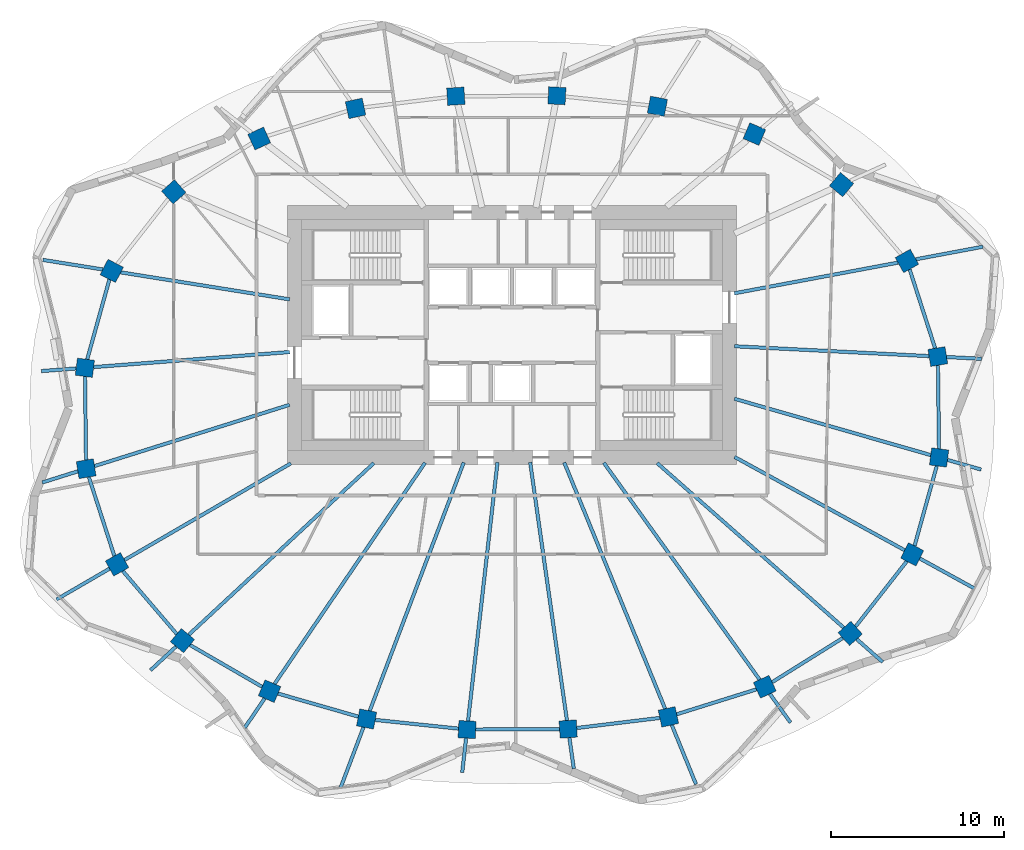
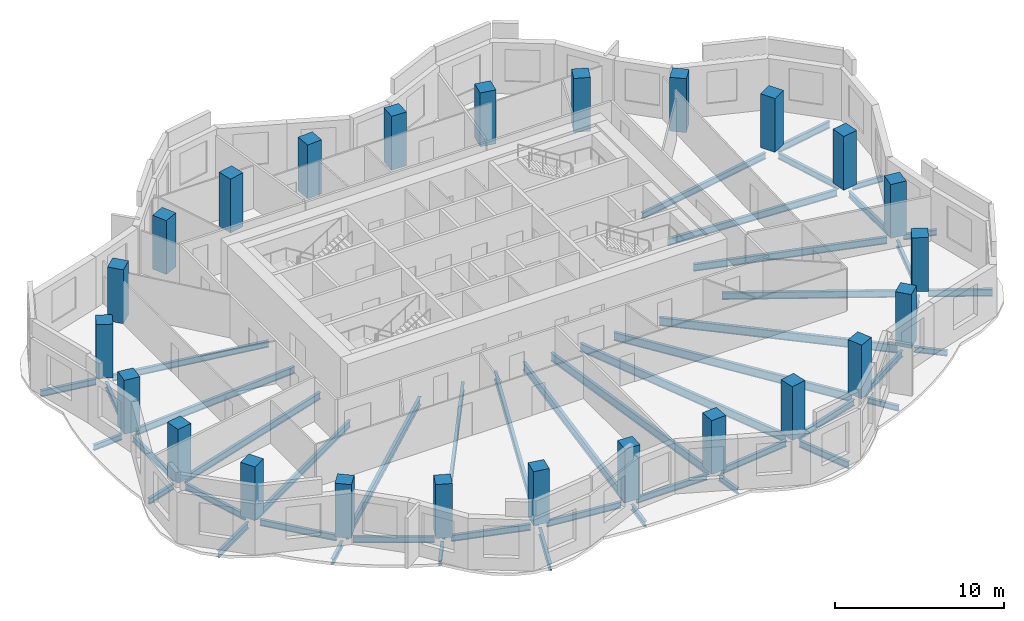
# One storey, part 1 of 9: 47 beams, 24 columns.
"""IFC4 building model written with IfcOpenShell, lengths in metres."""

from ifc_helpers import new_model, si_unit, direction, frame, origin, origin_2d, place, context, subcontext, project, spatial, rectangle, i_section, extrude, material, material_profile, profile_set, type_object, element, save


model = new_model("IFC4")

# Units and contexts
model_context = context("Model", 3, precision=1e-05, world=origin(), true_north=direction((0.0, 1.0)))
body_context = subcontext(model_context, "Body", "Model", "MODEL_VIEW")
ifc_project = project(units=[si_unit("LENGTHUNIT", "METRE"), si_unit("AREAUNIT", "SQUARE_METRE"), si_unit("VOLUMEUNIT", "CUBIC_METRE"), si_unit("PLANEANGLEUNIT", "RADIAN"), si_unit("MASSUNIT", "GRAM", prefix="KILO")], contexts=[model_context])

# Site, building, storey
site_placement = place(None, origin())
site = spatial("IfcSite", under=ifc_project, at=site_placement, CompositionType="ELEMENT")
building_placement = place(site_placement, origin())
building = spatial("IfcBuilding", under=site, at=building_placement, Name="Rubra Terraces Tower", CompositionType="ELEMENT")
storey_placement = place(building_placement, frame((0.0, 0.0, 221.39990234375)))
storey = spatial("IfcBuildingStorey", under=building, at=storey_placement, Name="L54", CompositionType="ELEMENT", Elevation=221.39990234375)

# Columns
ifc_material_1 = material(Name="Concrete C50", Category="concrete")
ifc_material_profile_1 = material_profile(ifc_material_1, rectangle(XDim=1.0, YDim=1.0, at=origin_2d()), Name="RC 1000x1000")
ifc_profile_set_1 = profile_set([ifc_material_profile_1], Name="Concrete C50")
column_type = type_object("IfcColumnType", Name="RING COLUMN RC 1000x1000 C50", PredefinedType="COLUMN", material=ifc_profile_set_1)
for number, where, z_axis, x_axis, name in (
    (1, (24.6689453125, 3.248046875, 0.0), (0.0, 0.0, 1.0), (-0.161559167715, 0.986863027642, 0.0), "column-L54-ring-01"),
    (2, (22.87890625, 8.787109375, 0.0), (0.0, 0.0, 1.0), (-0.48852601316, 0.872549330678, 0.0), "column-L54-ring-02"),
    (3, (19.092041015625, 13.208984375, 0.0), (0.0, 0.0, 1.0), (-0.76886986222, 0.63940529789, 0.0), "column-L54-ring-03"),
    (4, (14.0419921875, 16.135986328125, 0.0), (0.0, 0.0, 1.0), (-0.920167856842, 0.391524092789, 0.0), "column-L54-ring-04"),
    (5, (8.422119140625, 17.7490234375, 0.0), (0.0, 0.0, 1.0), (-0.981654668733, 0.19066754143, 0.0), "column-L54-ring-05"),
    (6, (2.60205078125, 18.35791015625, 0.0), (0.0, 0.0, 1.0), (-0.998764256028, 0.049698700995, 0.0), "column-L54-ring-06"),
    (7, (-3.25390625, 18.330078125, 0.0), (0.0, 0.0, 1.0), (-0.998031548759, -0.062713855578, 0.0), "column-L54-ring-07"),
    (8, (-9.06298828125, 17.625, 0.0), (0.0, 0.0, 1.0), (-0.977652674797, -0.210226657352, 0.0), "column-L54-ring-08"),
    (9, (-14.64306640625, 15.881103515625, 0.0), (0.0, 0.0, 1.0), (-0.908778580451, -0.417278673927, 0.0), "column-L54-ring-09"),
    (10, (-19.593017578125, 12.7900390625, 0.0), (0.0, 0.0, 1.0), (-0.744021317198, -0.668155879683, 0.0), "column-L54-ring-10"),
    (11, (-23.18505859375, 8.2099609375, 0.0), (0.0, 0.0, 1.0), (-0.451027931402, -0.892509834733, 0.0), "column-L54-ring-11"),
    (12, (-24.742919921875, 2.59912109375, 0.0), (0.0, 0.0, 1.0), (-0.128443684554, -0.991716804283, 0.0), "column-L54-ring-12"),
    (13, (-24.6689453125, -3.248046875, 0.0), (0.0, 0.0, 1.0), (0.161559167715, -0.986863027642, 0.0), "column-L54-ring-13"),
    (14, (-22.87890625, -8.787109375, 0.0), (0.0, 0.0, 1.0), (0.48852601316, -0.872549330678, 0.0), "column-L54-ring-14"),
    (15, (-19.092041015625, -13.208984375, 0.0), (0.0, 0.0, 1.0), (0.76886986222, -0.63940529789, 0.0), "column-L54-ring-15"),
    (16, (-14.0419921875, -16.135986328125, 0.0), (0.0, 0.0, 1.0), (0.920167856842, -0.391524092789, 0.0), "column-L54-ring-16"),
    (17, (-8.422119140625, -17.7490234375, 0.0), (0.0, 0.0, 1.0), (0.981654668733, -0.19066754143, 0.0), "column-L54-ring-17"),
    (18, (-2.60205078125, -18.35791015625, 0.0), (0.0, 0.0, 1.0), (0.998764256028, -0.049698700995, 0.0), "column-L54-ring-18"),
    (19, (3.25390625, -18.330078125, 0.0), (0.0, 0.0, 1.0), (0.998031548759, 0.062713855578, 0.0), "column-L54-ring-19"),
    (20, (9.06298828125, -17.625, 0.0), (0.0, 0.0, 1.0), (0.977652674797, 0.210226657352, 0.0), "column-L54-ring-20"),
    (21, (14.64306640625, -15.881103515625, 0.0), (0.0, 0.0, 1.0), (0.908778580451, 0.417278673927, 0.0), "column-L54-ring-21"),
    (22, (19.593017578125, -12.7900390625, 0.0), (0.0, 0.0, 1.0), (0.744021317198, 0.668155879683, 0.0), "column-L54-ring-22"),
    (23, (23.18505859375, -8.2099609375, 0.0), (0.0, 0.0, 1.0), (0.451027931402, 0.892509834733, 0.0), "column-L54-ring-23"),
    (24, (24.742919921875, -2.59912109375, 0.0), (0.0, 0.0, 1.0), (0.128443684554, 0.991716804283, 0.0), "column-L54-ring-24"),
):
    element("IfcColumn", number, at=place(storey_placement, frame(where, z_axis=z_axis, x_axis=x_axis)), inside=storey, type_object=column_type, Name=name, PredefinedType="COLUMN", context=body_context, shape_type="SweptSolid", body=[
        extrude(rectangle(XDim=1.0, YDim=1.0, at=origin_2d()), origin(), (0.0, 0.0, 1.0), 3.900146484375),
    ])

# Beams
ifc_material_2 = material(Name="Steel Q355B", Category="steel")
ifc_material_profile_2 = material_profile(ifc_material_2, i_section(OverallWidth=0.199951171875, OverallDepth=0.39990234375, WebThickness=0.008056640625, FlangeThickness=0.012939453125, at=origin_2d()), Name="HN 400x200x8x13")
ifc_profile_set_2 = profile_set([ifc_material_profile_2], Name="Steel Q355B")
beam_type_1 = type_object("IfcBeamType", Name="CANTILEVER BEAM HN 400x200x8x13", PredefinedType="BEAM", material=ifc_profile_set_2)
beam_1_placement = place(storey_placement, frame((25.179931640625, 3.221923828125, -0.39990234375), z_axis=(0.99870842359, -0.05080831281, 0.0), x_axis=(0.05080831281, 0.99870842359, 0.0)))
element("IfcBeam", 25, at=beam_1_placement, inside=storey, type_object=beam_type_1, Name="beam-L54-cant-01", PredefinedType="BEAM", context=body_context, shape_type="SweptSolid", body=[
    extrude(i_section(OverallWidth=0.199951171875, OverallDepth=0.39990234375, WebThickness=0.008056640625, FlangeThickness=0.012939453125, at=origin_2d()), origin(), (0.0, 0.0, 1.0), 2.02783203125),
])
beam_2_placement = place(storey_placement, frame((-25.251953125, 2.56005859375, -0.39990234375), z_axis=(-0.997050929882, -0.076742707936, 0.0), x_axis=(0.076742707936, -0.997050929882, 0.0)))
element("IfcBeam", 26, at=beam_2_placement, inside=storey, type_object=beam_type_1, Name="beam-L54-cant-12", PredefinedType="BEAM", context=body_context, shape_type="SweptSolid", body=[
    extrude(i_section(OverallWidth=0.199951171875, OverallDepth=0.39990234375, WebThickness=0.008056640625, FlangeThickness=0.012939453125, at=origin_2d()), origin(), (0.0, 0.0, 1.0), 2.02001953125),
])
beam_3_placement = place(storey_placement, frame((-25.15087890625, -3.39892578125, -0.39990234375), z_axis=(-0.953976176962, -0.299882399933, 0.0), x_axis=(0.299882399933, -0.953976176962, 0.0)))
element("IfcBeam", 27, at=beam_3_placement, inside=storey, type_object=beam_type_1, Name="beam-L54-cant-13", PredefinedType="BEAM", context=body_context, shape_type="SweptSolid", body=[
    extrude(i_section(OverallWidth=0.199951171875, OverallDepth=0.39990234375, WebThickness=0.008056640625, FlangeThickness=0.012939453125, at=origin_2d()), origin(), (0.0, 0.0, 1.0), 2.161376953125),
])
beam_4_placement = place(storey_placement, frame((-19.4619140625, -13.552001953125, -0.39990234375), z_axis=(-0.733112361767, -0.680107539309, 0.0), x_axis=(0.680107539309, -0.733112361767, 0.0)))
element("IfcBeam", 28, at=beam_4_placement, inside=storey, type_object=beam_type_1, Name="beam-L54-cant-15", PredefinedType="BEAM", context=body_context, shape_type="SweptSolid", body=[
    extrude(i_section(OverallWidth=0.199951171875, OverallDepth=0.39990234375, WebThickness=0.008056640625, FlangeThickness=0.012939453125, at=origin_2d()), origin(), (0.0, 0.0, 1.0), 2.017333984375),
])
beam_5_placement = place(storey_placement, frame((-14.3291015625, -16.556884765625, -0.39990234375), z_axis=(-0.56217604695, -0.827017588831, 0.0), x_axis=(0.827017588831, -0.56217604695, 0.0)))
element("IfcBeam", 29, at=beam_5_placement, inside=storey, type_object=beam_type_1, Name="beam-L54-cant-16", PredefinedType="BEAM", context=body_context, shape_type="SweptSolid", body=[
    extrude(i_section(OverallWidth=0.199951171875, OverallDepth=0.39990234375, WebThickness=0.008056640625, FlangeThickness=0.012939453125, at=origin_2d()), origin(), (0.0, 0.0, 1.0), 2.043701171875),
])
beam_6_placement = place(storey_placement, frame((-2.658935546875, -18.85595703125, -0.39990234375), z_axis=(-0.112770329826, -0.993621081052, 0.0), x_axis=(0.993621081052, -0.112770329826, 0.0)))
element("IfcBeam", 30, at=beam_6_placement, inside=storey, type_object=beam_type_1, Name="beam-L54-cant-18", PredefinedType="BEAM", context=body_context, shape_type="SweptSolid", body=[
    extrude(i_section(OverallWidth=0.199951171875, OverallDepth=0.39990234375, WebThickness=0.008056640625, FlangeThickness=0.012939453125, at=origin_2d()), origin(), (0.0, 0.0, 1.0), 2.004638671875),
])
beam_7_placement = place(storey_placement, frame((3.324951171875, -18.826904296875, -0.39990234375), z_axis=(0.141308200987, -0.989965652098, 0.0), x_axis=(0.989965652098, 0.141308200987, 0.0)))
element("IfcBeam", 31, at=beam_7_placement, inside=storey, type_object=beam_type_1, Name="beam-L54-cant-19", PredefinedType="BEAM", context=body_context, shape_type="SweptSolid", body=[
    extrude(i_section(OverallWidth=0.199951171875, OverallDepth=0.39990234375, WebThickness=0.008056640625, FlangeThickness=0.012939453125, at=origin_2d()), origin(), (0.0, 0.0, 1.0), 1.812255859375),
])
beam_8_placement = place(storey_placement, frame((14.93994140625, -16.294921875, -0.39990234375), z_axis=(0.583685227199, -0.811980021644, 0.0), x_axis=(0.811980021644, 0.583685227199, 0.0)))
element("IfcBeam", 32, at=beam_8_placement, inside=storey, type_object=beam_type_1, Name="beam-L54-cant-21", PredefinedType="BEAM", context=body_context, shape_type="SweptSolid", body=[
    extrude(i_section(OverallWidth=0.199951171875, OverallDepth=0.39990234375, WebThickness=0.008056640625, FlangeThickness=0.012939453125, at=origin_2d()), origin(), (0.0, 0.0, 1.0), 2.0458984375),
])
beam_9_placement = place(storey_placement, frame((19.969970703125, -13.123046875, -0.39990234375), z_axis=(0.749880449764, -0.661573360303, 0.0), x_axis=(0.661573360303, 0.749880449764, 0.0)))
element("IfcBeam", 33, at=beam_9_placement, inside=storey, type_object=beam_type_1, Name="beam-L54-cant-22", PredefinedType="BEAM", context=body_context, shape_type="SweptSolid", body=[
    extrude(i_section(OverallWidth=0.199951171875, OverallDepth=0.39990234375, WebThickness=0.008056640625, FlangeThickness=0.012939453125, at=origin_2d()), origin(), (0.0, 0.0, 1.0), 2.007080078125),
])
beam_10_placement = place(storey_placement, frame((25.22900390625, -2.738037109375, -0.39990234375), z_axis=(0.961104863352, -0.27618370995, 0.0), x_axis=(0.27618370995, 0.961104863352, 0.0)))
element("IfcBeam", 34, at=beam_10_placement, inside=storey, type_object=beam_type_1, Name="beam-L54-cant-24", PredefinedType="BEAM", context=body_context, shape_type="SweptSolid", body=[
    extrude(i_section(OverallWidth=0.199951171875, OverallDepth=0.39990234375, WebThickness=0.008056640625, FlangeThickness=0.012939453125, at=origin_2d()), origin(), (0.0, 0.0, 1.0), 2.02783203125),
])
ifc_material_profile_3 = material_profile(ifc_material_2, i_section(OverallWidth=0.198974609375, OverallDepth=0.446044921875, WebThickness=0.008056640625, FlangeThickness=0.011962890625, at=origin_2d()), Name="HN 446x199x8x12")
ifc_profile_set_3 = profile_set([ifc_material_profile_3], Name="Steel Q355B")
beam_type_2 = type_object("IfcBeamType", Name="CANTILEVER BEAM HN 446x199x8x12", PredefinedType="BEAM", material=ifc_profile_set_3)
beam_11_placement = place(storey_placement, frame((-23.702880859375, 8.29296875, -0.4228515625), z_axis=(-0.987460993252, 0.157863190158, 0.0), x_axis=(-0.157863190158, -0.987460993252, 0.0)))
element("IfcBeam", 35, at=beam_11_placement, inside=storey, type_object=beam_type_2, Name="beam-L54-cant-11", PredefinedType="BEAM", context=body_context, shape_type="SweptSolid", body=[
    extrude(i_section(OverallWidth=0.198974609375, OverallDepth=0.446044921875, WebThickness=0.008056640625, FlangeThickness=0.011962890625, at=origin_2d()), origin(), (0.0, 0.0, 1.0), 3.515380859375),
])
beam_12_placement = place(storey_placement, frame((-23.31103515625, -9.0380859375, -0.4228515625), z_axis=(-0.864736046466, -0.50222661214, 0.0), x_axis=(0.50222661214, -0.864736046466, 0.0)))
element("IfcBeam", 36, at=beam_12_placement, inside=storey, type_object=beam_type_2, Name="beam-L54-cant-14", PredefinedType="BEAM", context=body_context, shape_type="SweptSolid", body=[
    extrude(i_section(OverallWidth=0.198974609375, OverallDepth=0.446044921875, WebThickness=0.008056640625, FlangeThickness=0.011962890625, at=origin_2d()), origin(), (0.0, 0.0, 1.0), 3.555908203125),
])
ifc_material_profile_4 = material_profile(ifc_material_2, i_section(OverallWidth=0.198974609375, OverallDepth=0.49609375, WebThickness=0.009033203125, FlangeThickness=0.013916015625, at=origin_2d()), Name="HN 496x199x9x14")
ifc_profile_set_4 = profile_set([ifc_material_profile_4], Name="Steel Q355B")
beam_type_3 = type_object("IfcBeamType", Name="CANTILEVER BEAM HN 496x199x9x14", PredefinedType="BEAM", material=ifc_profile_set_4)
beam_13_placement = place(storey_placement, frame((23.39794921875, 8.884033203125, -0.447998046875), z_axis=(0.982865888577, 0.18432212312, 0.0), x_axis=(-0.18432212312, 0.982865888577, 0.0)))
element("IfcBeam", 37, at=beam_13_placement, inside=storey, type_object=beam_type_3, Name="beam-L54-cant-02", PredefinedType="BEAM", context=body_context, shape_type="SweptSolid", body=[
    extrude(i_section(OverallWidth=0.198974609375, OverallDepth=0.49609375, WebThickness=0.009033203125, FlangeThickness=0.013916015625, at=origin_2d()), origin(), (0.0, 0.0, 1.0), 3.94970703125),
])
beam_14_placement = place(storey_placement, frame((-8.60205078125, -18.222900390625, -0.447998046875), z_axis=(-0.353975284334, -0.935254777096, 0.0), x_axis=(0.935254777096, -0.353975284334, 0.0)))
element("IfcBeam", 38, at=beam_14_placement, inside=storey, type_object=beam_type_3, Name="beam-L54-cant-17", PredefinedType="BEAM", context=body_context, shape_type="SweptSolid", body=[
    extrude(i_section(OverallWidth=0.198974609375, OverallDepth=0.49609375, WebThickness=0.009033203125, FlangeThickness=0.013916015625, at=origin_2d()), origin(), (0.0, 0.0, 1.0), 3.816162109375),
])
beam_15_placement = place(storey_placement, frame((9.256103515625, -18.094970703125, -0.447998046875), z_axis=(0.378876573118, -0.925447212078, 0.0), x_axis=(0.925447212078, 0.378876573118, 0.0)))
element("IfcBeam", 39, at=beam_15_placement, inside=storey, type_object=beam_type_3, Name="beam-L54-cant-20", PredefinedType="BEAM", context=body_context, shape_type="SweptSolid", body=[
    extrude(i_section(OverallWidth=0.198974609375, OverallDepth=0.49609375, WebThickness=0.009033203125, FlangeThickness=0.013916015625, at=origin_2d()), origin(), (0.0, 0.0, 1.0), 3.705078125),
])
beam_16_placement = place(storey_placement, frame((23.6240234375, -8.449951171875, -0.447998046875), z_axis=(0.876754126766, -0.480938874701, 0.0), x_axis=(0.480938874701, 0.876754126766, 0.0)))
element("IfcBeam", 40, at=beam_16_placement, inside=storey, type_object=beam_type_3, Name="beam-L54-cant-23", PredefinedType="BEAM", context=body_context, shape_type="SweptSolid", body=[
    extrude(i_section(OverallWidth=0.198974609375, OverallDepth=0.49609375, WebThickness=0.009033203125, FlangeThickness=0.013916015625, at=origin_2d()), origin(), (0.0, 0.0, 1.0), 3.8173828125),
])
ifc_material_profile_5 = material_profile(ifc_material_2, i_section(OverallWidth=0.198974609375, OverallDepth=0.446044921875, WebThickness=0.008056640625, FlangeThickness=0.011962890625, at=origin_2d()), Name="HN 446x199x8x12")
ifc_profile_set_5 = profile_set([ifc_material_profile_5], Name="Steel Q355B")
beam_type_4 = type_object("IfcBeamType", Name="FLOOR BEAM HN 446x199x8x12", PredefinedType="BEAM", material=ifc_profile_set_5)
beam_17_placement = place(storey_placement, frame((22.360107421875, 8.68994140625, -0.4228515625), z_axis=(-0.982895681695, -0.18416318553, 0.0), x_axis=(0.18416318553, -0.982895681695, 0.0)))
element("IfcBeam", 41, at=beam_17_placement, inside=storey, type_object=beam_type_4, Name="beam-L54-floor-02", PredefinedType="BEAM", context=body_context, shape_type="SweptSolid", body=[
    extrude(i_section(OverallWidth=0.198974609375, OverallDepth=0.446044921875, WebThickness=0.008056640625, FlangeThickness=0.011962890625, at=origin_2d()), origin(), (0.0, 0.0, 1.0), 9.64306640625),
])
beam_18_placement = place(storey_placement, frame((-22.6669921875, 8.126953125, -0.4228515625), z_axis=(0.987435404133, -0.158023171289, 0.0), x_axis=(0.158023171289, 0.987435404133, 0.0)))
element("IfcBeam", 42, at=beam_18_placement, inside=storey, type_object=beam_type_4, Name="beam-L54-floor-11", PredefinedType="BEAM", context=body_context, shape_type="SweptSolid", body=[
    extrude(i_section(OverallWidth=0.198974609375, OverallDepth=0.446044921875, WebThickness=0.008056640625, FlangeThickness=0.011962890625, at=origin_2d()), origin(), (0.0, 0.0, 1.0), 9.909423828125),
])
ifc_material_profile_6 = material_profile(ifc_material_2, i_section(OverallWidth=0.198974609375, OverallDepth=0.49609375, WebThickness=0.009033203125, FlangeThickness=0.013916015625, at=origin_2d()), Name="HN 496x199x9x14")
ifc_profile_set_6 = profile_set([ifc_material_profile_6], Name="Steel Q355B")
beam_type_5 = type_object("IfcBeamType", Name="FLOOR BEAM HN 496x199x9x14", PredefinedType="BEAM", material=ifc_profile_set_6)
beam_19_placement = place(storey_placement, frame((24.157958984375, 3.27392578125, -0.447998046875), z_axis=(-0.998716228561, 0.050654662269, 0.0), x_axis=(-0.050654662269, -0.998716228561, 0.0)))
element("IfcBeam", 43, at=beam_19_placement, inside=storey, type_object=beam_type_5, Name="beam-L54-floor-01", PredefinedType="BEAM", context=body_context, shape_type="SweptSolid", body=[
    extrude(i_section(OverallWidth=0.198974609375, OverallDepth=0.49609375, WebThickness=0.009033203125, FlangeThickness=0.013916015625, at=origin_2d()), origin(), (0.0, 0.0, 1.0), 11.29248046875),
])
beam_20_placement = place(storey_placement, frame((-24.23388671875, 2.637939453125, -0.447998046875), z_axis=(0.997063306908, 0.076581734234, 0.0), x_axis=(-0.076581734234, 0.997063306908, 0.0)))
element("IfcBeam", 44, at=beam_20_placement, inside=storey, type_object=beam_type_5, Name="beam-L54-floor-12", PredefinedType="BEAM", context=body_context, shape_type="SweptSolid", body=[
    extrude(i_section(OverallWidth=0.198974609375, OverallDepth=0.49609375, WebThickness=0.009033203125, FlangeThickness=0.013916015625, at=origin_2d()), origin(), (0.0, 0.0, 1.0), 11.387451171875),
])
beam_21_placement = place(storey_placement, frame((-24.18701171875, -3.096923828125, -0.447998046875), z_axis=(0.954040699023, 0.299677067204, 0.0), x_axis=(-0.299677067204, 0.954040699023, 0.0)))
element("IfcBeam", 45, at=beam_21_placement, inside=storey, type_object=beam_type_5, Name="beam-L54-floor-13", PredefinedType="BEAM", context=body_context, shape_type="SweptSolid", body=[
    extrude(i_section(OverallWidth=0.198974609375, OverallDepth=0.49609375, WebThickness=0.009033203125, FlangeThickness=0.013916015625, at=origin_2d()), origin(), (0.0, 0.0, 1.0), 11.845458984375),
])
beam_22_placement = place(storey_placement, frame((-22.447021484375, -8.535888671875, -0.447998046875), z_axis=(0.864755491844, 0.502193129508, 0.0), x_axis=(-0.502193129508, 0.864755491844, 0.0)))
element("IfcBeam", 46, at=beam_22_placement, inside=storey, type_object=beam_type_5, Name="beam-L54-floor-14", PredefinedType="BEAM", context=body_context, shape_type="SweptSolid", body=[
    extrude(i_section(OverallWidth=0.198974609375, OverallDepth=0.49609375, WebThickness=0.009033203125, FlangeThickness=0.013916015625, at=origin_2d()), origin(), (0.0, 0.0, 1.0), 11.14306640625),
])
beam_23_placement = place(storey_placement, frame((22.74609375, -7.969970703125, -0.447998046875), z_axis=(-0.876862055903, 0.480742066932, 0.0), x_axis=(-0.480742066932, -0.876862055903, 0.0)))
element("IfcBeam", 47, at=beam_23_placement, inside=storey, type_object=beam_type_5, Name="beam-L54-floor-23", PredefinedType="BEAM", context=body_context, shape_type="SweptSolid", body=[
    extrude(i_section(OverallWidth=0.198974609375, OverallDepth=0.49609375, WebThickness=0.009033203125, FlangeThickness=0.013916015625, at=origin_2d()), origin(), (0.0, 0.0, 1.0), 11.234375),
])
beam_24_placement = place(storey_placement, frame((24.257080078125, -2.4599609375, -0.447998046875), z_axis=(-0.961215754667, 0.275797521707, 0.0), x_axis=(-0.275797521707, -0.961215754667, 0.0)))
element("IfcBeam", 48, at=beam_24_placement, inside=storey, type_object=beam_type_5, Name="beam-L54-floor-24", PredefinedType="BEAM", context=body_context, shape_type="SweptSolid", body=[
    extrude(i_section(OverallWidth=0.198974609375, OverallDepth=0.49609375, WebThickness=0.009033203125, FlangeThickness=0.013916015625, at=origin_2d()), origin(), (0.0, 0.0, 1.0), 11.830810546875),
])
ifc_material_profile_7 = material_profile(ifc_material_2, i_section(OverallWidth=0.198974609375, OverallDepth=0.595947265625, WebThickness=0.010009765625, FlangeThickness=0.014892578125, at=origin_2d()), Name="HN 596x199x10x15")
ifc_profile_set_7 = profile_set([ifc_material_profile_7], Name="Steel Q355B")
beam_type_6 = type_object("IfcBeamType", Name="FLOOR BEAM HN 596x199x10x15", PredefinedType="BEAM", material=ifc_profile_set_7)
beam_25_placement = place(storey_placement, frame((-18.721923828125, -12.865966796875, -0.497802734375), z_axis=(0.733130458484, 0.680088031687, 0.0), x_axis=(-0.680088031687, 0.733130458484, 0.0)))
element("IfcBeam", 49, at=beam_25_placement, inside=storey, type_object=beam_type_6, Name="beam-L54-floor-15", PredefinedType="BEAM", context=body_context, shape_type="SweptSolid", body=[
    extrude(i_section(OverallWidth=0.198974609375, OverallDepth=0.595947265625, WebThickness=0.010009765625, FlangeThickness=0.014892578125, at=origin_2d()), origin(), (0.0, 0.0, 1.0), 14.62744140625),
])
beam_26_placement = place(storey_placement, frame((-13.7548828125, -15.715087890625, -0.497802734375), z_axis=(0.562545242124, 0.826766503049, 0.0), x_axis=(-0.826766503049, 0.562545242124, 0.0)))
element("IfcBeam", 50, at=beam_26_placement, inside=storey, type_object=beam_type_6, Name="beam-L54-floor-16", PredefinedType="BEAM", context=body_context, shape_type="SweptSolid", body=[
    extrude(i_section(OverallWidth=0.198974609375, OverallDepth=0.595947265625, WebThickness=0.010009765625, FlangeThickness=0.014892578125, at=origin_2d()), origin(), (0.0, 0.0, 1.0), 15.499267578125),
])
beam_27_placement = place(storey_placement, frame((-8.241943359375, -17.27490234375, -0.497802734375), z_axis=(0.353955134415, 0.93526240319, 0.0), x_axis=(-0.93526240319, 0.353955134415, 0.0)))
element("IfcBeam", 51, at=beam_27_placement, inside=storey, type_object=beam_type_6, Name="beam-L54-floor-17", PredefinedType="BEAM", context=body_context, shape_type="SweptSolid", body=[
    extrude(i_section(OverallWidth=0.198974609375, OverallDepth=0.595947265625, WebThickness=0.010009765625, FlangeThickness=0.014892578125, at=origin_2d()), origin(), (0.0, 0.0, 1.0), 15.3828125),
])
beam_28_placement = place(storey_placement, frame((-2.544921875, -17.860107421875, -0.497802734375), z_axis=(0.113084825914, 0.993585337124, 0.0), x_axis=(-0.993585337124, 0.113084825914, 0.0)))
element("IfcBeam", 52, at=beam_28_placement, inside=storey, type_object=beam_type_6, Name="beam-L54-floor-18", PredefinedType="BEAM", context=body_context, shape_type="SweptSolid", body=[
    extrude(i_section(OverallWidth=0.198974609375, OverallDepth=0.595947265625, WebThickness=0.010009765625, FlangeThickness=0.014892578125, at=origin_2d()), origin(), (0.0, 0.0, 1.0), 15.07568359375),
])
beam_29_placement = place(storey_placement, frame((3.18310546875, -17.8330078125, -0.497802734375), z_axis=(-0.141104514479, 0.989994705033, 0.0), x_axis=(-0.989994705033, -0.141104514479, 0.0)))
element("IfcBeam", 53, at=beam_29_placement, inside=storey, type_object=beam_type_6, Name="beam-L54-floor-19", PredefinedType="BEAM", context=body_context, shape_type="SweptSolid", body=[
    extrude(i_section(OverallWidth=0.198974609375, OverallDepth=0.595947265625, WebThickness=0.010009765625, FlangeThickness=0.014892578125, at=origin_2d()), origin(), (0.0, 0.0, 1.0), 15.10302734375),
])
beam_30_placement = place(storey_placement, frame((8.8701171875, -17.155029296875, -0.497802734375), z_axis=(-0.379015131933, 0.925390474214, 0.0), x_axis=(-0.925390474214, -0.379015131933, 0.0)))
element("IfcBeam", 54, at=beam_30_placement, inside=storey, type_object=beam_type_6, Name="beam-L54-floor-20", PredefinedType="BEAM", context=body_context, shape_type="SweptSolid", body=[
    extrude(i_section(OverallWidth=0.198974609375, OverallDepth=0.595947265625, WebThickness=0.010009765625, FlangeThickness=0.014892578125, at=origin_2d()), origin(), (0.0, 0.0, 1.0), 15.416259765625),
])
beam_31_placement = place(storey_placement, frame((14.345947265625, -15.467041015625, -0.497802734375), z_axis=(-0.583528740197, 0.812092488183, 0.0), x_axis=(-0.812092488183, -0.583528740197, 0.0)))
element("IfcBeam", 55, at=beam_31_placement, inside=storey, type_object=beam_type_6, Name="beam-L54-floor-21", PredefinedType="BEAM", context=body_context, shape_type="SweptSolid", body=[
    extrude(i_section(OverallWidth=0.198974609375, OverallDepth=0.595947265625, WebThickness=0.010009765625, FlangeThickness=0.014892578125, at=origin_2d()), origin(), (0.0, 0.0, 1.0), 15.47119140625),
])
beam_32_placement = place(storey_placement, frame((19.216064453125, -12.45703125, -0.497802734375), z_axis=(-0.749823025288, 0.661638444128, 0.0), x_axis=(-0.661638444128, -0.749823025288, 0.0)))
element("IfcBeam", 56, at=beam_32_placement, inside=storey, type_object=beam_type_6, Name="beam-L54-floor-22", PredefinedType="BEAM", context=body_context, shape_type="SweptSolid", body=[
    extrude(i_section(OverallWidth=0.198974609375, OverallDepth=0.595947265625, WebThickness=0.010009765625, FlangeThickness=0.014892578125, at=origin_2d()), origin(), (0.0, 0.0, 1.0), 14.412841796875),
])
ifc_material_profile_8 = material_profile(ifc_material_2, i_section(OverallWidth=0.198974609375, OverallDepth=0.446044921875, WebThickness=0.008056640625, FlangeThickness=0.011962890625, at=origin_2d()), Name="HN 446x199x8x12")
ifc_profile_set_8 = profile_set([ifc_material_profile_8], Name="Steel Q355B")
beam_type_7 = type_object("IfcBeamType", Name="SPANDREL BEAM HN 446x199x8x12", PredefinedType="SPANDREL", material=ifc_profile_set_8)
beam_33_placement = place(storey_placement, frame((24.512939453125, 3.72900390625, -0.4228515625), z_axis=(-0.307359002872, 0.951593633519, 0.0), x_axis=(-0.951593633519, -0.307359002872, 0.0)))
element("IfcBeam", 57, at=beam_33_placement, inside=storey, type_object=beam_type_7, Name="beam-L54-spandrel-01", PredefinedType="SPANDREL", context=body_context, shape_type="SweptSolid", body=[
    extrude(i_section(OverallWidth=0.198974609375, OverallDepth=0.446044921875, WebThickness=0.008056640625, FlangeThickness=0.011962890625, at=origin_2d()), origin(), (0.0, 0.0, 1.0), 4.8056640625),
])
beam_34_placement = place(storey_placement, frame((-23.321044921875, 7.718994140625, -0.4228515625), z_axis=(-0.267625533012, -0.963523001324, 0.0), x_axis=(0.963523001324, -0.267625533012, 0.0)))
element("IfcBeam", 58, at=beam_34_placement, inside=storey, type_object=beam_type_7, Name="beam-L54-spandrel-11", PredefinedType="SPANDREL", context=body_context, shape_type="SweptSolid", body=[
    extrude(i_section(OverallWidth=0.198974609375, OverallDepth=0.446044921875, WebThickness=0.008056640625, FlangeThickness=0.011962890625, at=origin_2d()), origin(), (0.0, 0.0, 1.0), 4.808349609375),
])
beam_35_placement = place(storey_placement, frame((-24.737060546875, 2.093994140625, -0.4228515625), z_axis=(0.012822047643, -0.999917794168, 0.0), x_axis=(0.999917794168, 0.012822047643, 0.0)))
element("IfcBeam", 59, at=beam_35_placement, inside=storey, type_object=beam_type_7, Name="beam-L54-spandrel-12", PredefinedType="SPANDREL", context=body_context, shape_type="SweptSolid", body=[
    extrude(i_section(OverallWidth=0.198974609375, OverallDepth=0.446044921875, WebThickness=0.008056640625, FlangeThickness=0.011962890625, at=origin_2d()), origin(), (0.0, 0.0, 1.0), 4.83642578125),
])
beam_36_placement = place(storey_placement, frame((-24.512939453125, -3.72900390625, -0.4228515625), z_axis=(0.307359002872, -0.951593633519, 0.0), x_axis=(0.951593633519, 0.307359002872, 0.0)))
element("IfcBeam", 60, at=beam_36_placement, inside=storey, type_object=beam_type_7, Name="beam-L54-spandrel-13", PredefinedType="SPANDREL", context=body_context, shape_type="SweptSolid", body=[
    extrude(i_section(OverallWidth=0.198974609375, OverallDepth=0.446044921875, WebThickness=0.008056640625, FlangeThickness=0.011962890625, at=origin_2d()), origin(), (0.0, 0.0, 1.0), 4.8056640625),
])
beam_37_placement = place(storey_placement, frame((-22.547119140625, -9.174072265625, -0.4228515625), z_axis=(0.650372836218, -0.759615148552, 0.0), x_axis=(0.759615148552, 0.650372836218, 0.0)))
element("IfcBeam", 61, at=beam_37_placement, inside=storey, type_object=beam_type_7, Name="beam-L54-spandrel-14", PredefinedType="SPANDREL", context=body_context, shape_type="SweptSolid", body=[
    extrude(i_section(OverallWidth=0.198974609375, OverallDepth=0.446044921875, WebThickness=0.008056640625, FlangeThickness=0.011962890625, at=origin_2d()), origin(), (0.0, 0.0, 1.0), 4.804931640625),
])
beam_38_placement = place(storey_placement, frame((-18.653076171875, -13.462890625, -0.4228515625), z_axis=(0.865153680787, -0.501506838059, 0.0), x_axis=(0.501506838059, 0.865153680787, 0.0)))
element("IfcBeam", 62, at=beam_38_placement, inside=storey, type_object=beam_type_7, Name="beam-L54-spandrel-15", PredefinedType="SPANDREL", context=body_context, shape_type="SweptSolid", body=[
    extrude(i_section(OverallWidth=0.198974609375, OverallDepth=0.446044921875, WebThickness=0.008056640625, FlangeThickness=0.011962890625, at=origin_2d()), origin(), (0.0, 0.0, 1.0), 4.82568359375),
])
beam_39_placement = place(storey_placement, frame((-13.55810546875, -16.27490234375, -0.4228515625), z_axis=(0.961171164323, -0.275952881621, 0.0), x_axis=(0.275952881621, 0.961171164323, 0.0)))
element("IfcBeam", 63, at=beam_39_placement, inside=storey, type_object=beam_type_7, Name="beam-L54-spandrel-16", PredefinedType="SPANDREL", context=body_context, shape_type="SweptSolid", body=[
    extrude(i_section(OverallWidth=0.198974609375, OverallDepth=0.446044921875, WebThickness=0.008056640625, FlangeThickness=0.011962890625, at=origin_2d()), origin(), (0.0, 0.0, 1.0), 4.842041015625),
])
beam_40_placement = place(storey_placement, frame((-7.923095703125, -17.801025390625, -0.4228515625), z_axis=(0.994565426955, -0.104113454971, 0.0), x_axis=(0.104113454971, 0.994565426955, 0.0)))
element("IfcBeam", 64, at=beam_40_placement, inside=storey, type_object=beam_type_7, Name="beam-L54-spandrel-17", PredefinedType="SPANDREL", context=body_context, shape_type="SweptSolid", body=[
    extrude(i_section(OverallWidth=0.198974609375, OverallDepth=0.446044921875, WebThickness=0.008056640625, FlangeThickness=0.011962890625, at=origin_2d()), origin(), (0.0, 0.0, 1.0), 4.849365234375),
])
beam_41_placement = place(storey_placement, frame((-2.10107421875, -18.35595703125, -0.4228515625), z_axis=(0.999987852299, 0.004929021704, 0.0), x_axis=(-0.004929021704, 0.999987852299, 0.0)))
element("IfcBeam", 65, at=beam_41_placement, inside=storey, type_object=beam_type_7, Name="beam-L54-spandrel-18", PredefinedType="SPANDREL", context=body_context, shape_type="SweptSolid", body=[
    extrude(i_section(OverallWidth=0.198974609375, OverallDepth=0.446044921875, WebThickness=0.008056640625, FlangeThickness=0.011962890625, at=origin_2d()), origin(), (0.0, 0.0, 1.0), 4.85400390625),
])
beam_42_placement = place(storey_placement, frame((3.7509765625, -18.27001953125, -0.4228515625), z_axis=(0.992698018573, 0.120626049929, 0.0), x_axis=(-0.120626049929, 0.992698018573, 0.0)))
element("IfcBeam", 66, at=beam_42_placement, inside=storey, type_object=beam_type_7, Name="beam-L54-spandrel-19", PredefinedType="SPANDREL", context=body_context, shape_type="SweptSolid", body=[
    extrude(i_section(OverallWidth=0.198974609375, OverallDepth=0.446044921875, WebThickness=0.008056640625, FlangeThickness=0.011962890625, at=origin_2d()), origin(), (0.0, 0.0, 1.0), 4.849365234375),
])
beam_43_placement = place(storey_placement, frame((9.5419921875, -17.47509765625, -0.4228515625), z_axis=(0.954462027342, 0.298332429282, 0.0), x_axis=(-0.298332429282, 0.954462027342, 0.0)))
element("IfcBeam", 67, at=beam_43_placement, inside=storey, type_object=beam_type_7, Name="beam-L54-spandrel-20", PredefinedType="SPANDREL", context=body_context, shape_type="SweptSolid", body=[
    extrude(i_section(OverallWidth=0.198974609375, OverallDepth=0.446044921875, WebThickness=0.008056640625, FlangeThickness=0.011962890625, at=origin_2d()), origin(), (0.0, 0.0, 1.0), 4.840576171875),
])
beam_44_placement = place(storey_placement, frame((15.071044921875, -15.614013671875, -0.4228515625), z_axis=(0.848183088492, 0.529703170083, 0.0), x_axis=(-0.529703170083, 0.848183088492, 0.0)))
element("IfcBeam", 68, at=beam_44_placement, inside=storey, type_object=beam_type_7, Name="beam-L54-spandrel-21", PredefinedType="SPANDREL", context=body_context, shape_type="SweptSolid", body=[
    extrude(i_section(OverallWidth=0.198974609375, OverallDepth=0.446044921875, WebThickness=0.008056640625, FlangeThickness=0.011962890625, at=origin_2d()), origin(), (0.0, 0.0, 1.0), 4.8232421875),
])
beam_45_placement = place(storey_placement, frame((19.906005859375, -12.39111328125, -0.4228515625), z_axis=(0.617060338015, 0.786915840004, 0.0), x_axis=(-0.786915840004, 0.617060338015, 0.0)))
element("IfcBeam", 69, at=beam_45_placement, inside=storey, type_object=beam_type_7, Name="beam-L54-spandrel-22", PredefinedType="SPANDREL", context=body_context, shape_type="SweptSolid", body=[
    extrude(i_section(OverallWidth=0.198974609375, OverallDepth=0.446044921875, WebThickness=0.008056640625, FlangeThickness=0.011962890625, at=origin_2d()), origin(), (0.0, 0.0, 1.0), 4.8037109375),
])
beam_46_placement = place(storey_placement, frame((23.321044921875, -7.718994140625, -0.4228515625), z_axis=(0.267625533012, 0.963523001324, 0.0), x_axis=(-0.963523001324, 0.267625533012, 0.0)))
element("IfcBeam", 70, at=beam_46_placement, inside=storey, type_object=beam_type_7, Name="beam-L54-spandrel-23", PredefinedType="SPANDREL", context=body_context, shape_type="SweptSolid", body=[
    extrude(i_section(OverallWidth=0.198974609375, OverallDepth=0.446044921875, WebThickness=0.008056640625, FlangeThickness=0.011962890625, at=origin_2d()), origin(), (0.0, 0.0, 1.0), 4.808349609375),
])
beam_47_placement = place(storey_placement, frame((24.737060546875, -2.093994140625, -0.4228515625), z_axis=(-0.012822047643, 0.999917794168, 0.0), x_axis=(-0.999917794168, -0.012822047643, 0.0)))
element("IfcBeam", 71, at=beam_47_placement, inside=storey, type_object=beam_type_7, Name="beam-L54-spandrel-24", PredefinedType="SPANDREL", context=body_context, shape_type="SweptSolid", body=[
    extrude(i_section(OverallWidth=0.198974609375, OverallDepth=0.446044921875, WebThickness=0.008056640625, FlangeThickness=0.011962890625, at=origin_2d()), origin(), (0.0, 0.0, 1.0), 4.83642578125),
])

save(model, "model.ifc")
